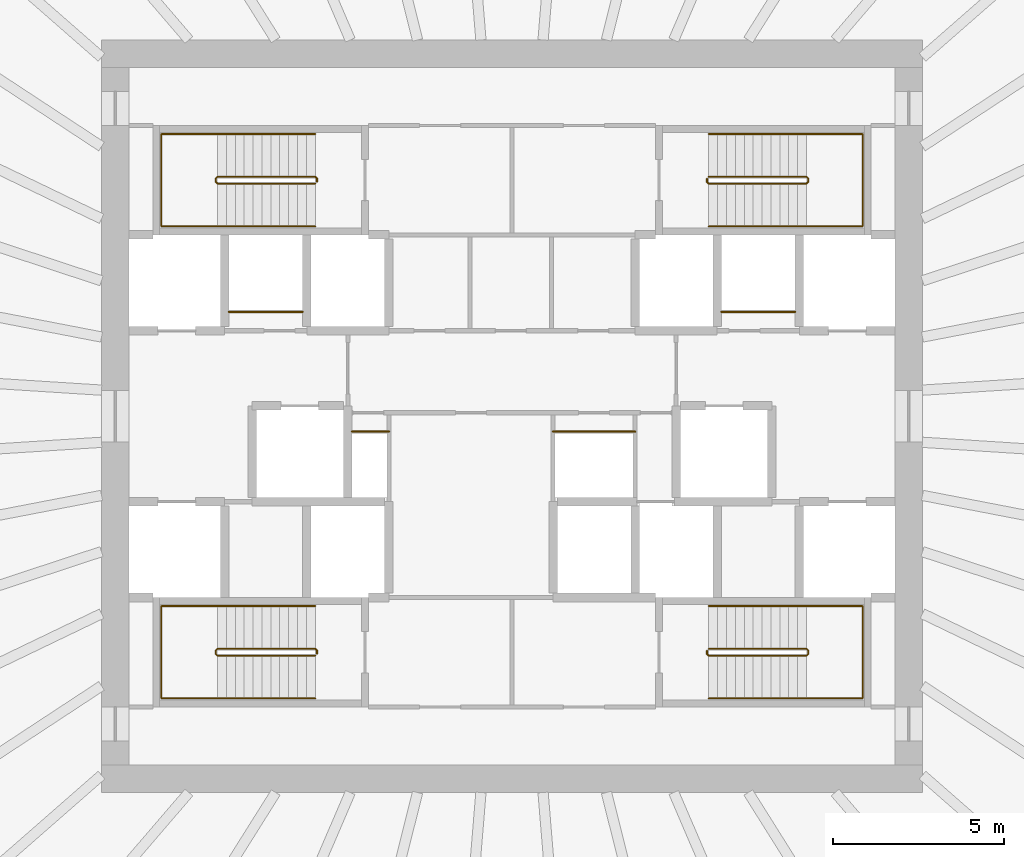
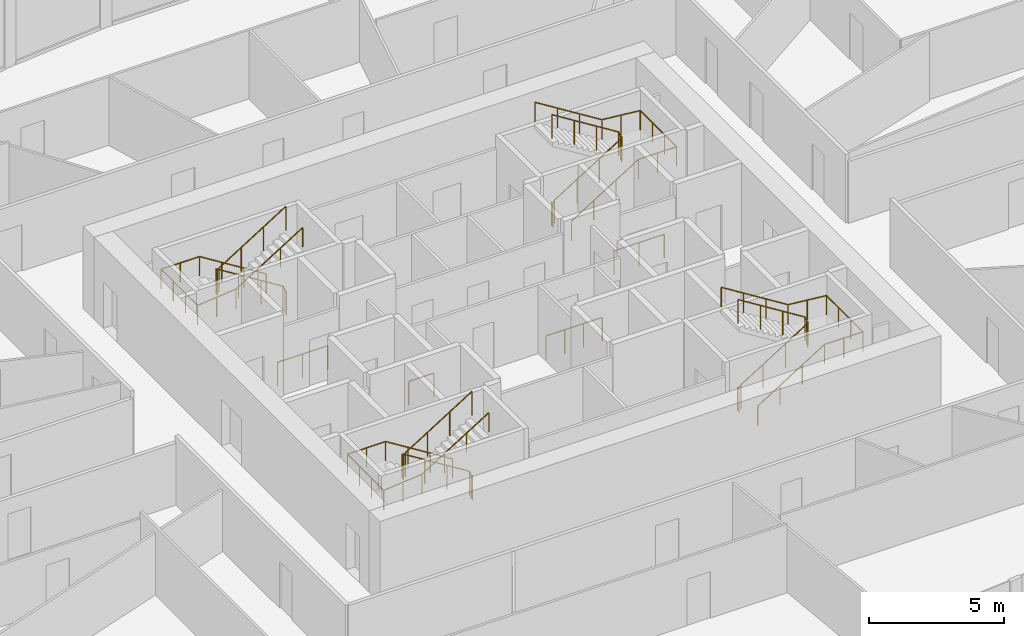
# One storey, part 11 of 11: 12 railings.
"""IFC4 building model written with IfcOpenShell, lengths in metres."""

from ifc_helpers import new_model, si_unit, direction, frame, origin, origin_2d, place, context, subcontext, project, spatial, circle, extrude, source, transform, mapped, material, type_object, element, save


model = new_model("IFC4")

# Units and contexts
model_context = context("Model", 3, precision=1e-05, world=origin(), true_north=direction((0.0, 1.0)))
body_context = subcontext(model_context, "Body", "Model", "MODEL_VIEW")
ifc_project = project(units=[si_unit("LENGTHUNIT", "METRE"), si_unit("AREAUNIT", "SQUARE_METRE"), si_unit("VOLUMEUNIT", "CUBIC_METRE"), si_unit("PLANEANGLEUNIT", "RADIAN"), si_unit("MASSUNIT", "GRAM", prefix="KILO")], contexts=[model_context])

# Site, building, storey
site_placement = place(None, origin())
site = spatial("IfcSite", under=ifc_project, at=site_placement, CompositionType="ELEMENT")
building_placement = place(site_placement, origin())
building = spatial("IfcBuilding", under=site, at=building_placement, Name="Embergate Tower", CompositionType="ELEMENT")
storey_placement = place(building_placement, frame((0.0, 0.0, 215.10009765625)))
storey = spatial("IfcBuildingStorey", under=building, at=storey_placement, Name="L49", CompositionType="ELEMENT", Elevation=215.10009765625)

# Railings
ifc_material_1 = material(Name="Stair handrail 900")
railing_type_1 = type_object("IfcRailingType", Name="Stair handrail 900", PredefinedType="HANDRAIL", material=ifc_material_1)
shared_shape_1 = source(origin(), body_context, "Body", "SweptSolid", [
    extrude(circle(Radius=0.02392578125, at=origin_2d()), frame((0.0, 0.0, 0.8759765625), z_axis=(-0.847994237388, 0.0, 0.530005446535), x_axis=(0.0, -1.0, 0.0)), (0.0, 0.0, 1.0), 3.372802734375),
    extrude(circle(Radius=0.02392578125, at=origin_2d()), frame((-2.860107421875, 0.0, 2.66357421875), z_axis=(-1.0, 0.0, 0.0), x_axis=(0.0, -1.0, 0.0)), (0.0, 0.0, 1.0), 1.639892578125),
    extrude(circle(Radius=0.02392578125, at=origin_2d()), frame((-4.5, 0.0, 2.66357421875), z_axis=(0.0, -1.0, 0.0), x_axis=(1.0, 0.0, 0.0)), (0.0, 0.0, 1.0), 2.699951171875),
    extrude(circle(Radius=0.02392578125, at=origin_2d()), frame((-4.5, -2.699951171875, 2.66357421875), z_axis=(0.995134983717, 0.0, 0.098520881967), x_axis=(0.0, 1.0, 0.0)), (0.0, 0.0, 1.0), 1.64794921875),
    extrude(circle(Radius=0.02392578125, at=origin_2d()), frame((-2.860107421875, -2.699951171875, 2.82568359375), z_axis=(0.847994237388, 0.0, 0.530005446535), x_axis=(0.0, 1.0, 0.0)), (0.0, 0.0, 1.0), 3.372802734375),
    extrude(circle(Radius=0.02099609375, at=origin_2d()), origin(), (0.0, 0.0, 1.0), 0.851806640625),
    extrude(circle(Radius=0.02099609375, at=origin_2d()), frame((-0.953369140625, 0.0, 0.595947265625)), (0.0, 0.0, 1.0), 0.851806640625),
    extrude(circle(Radius=0.02099609375, at=origin_2d()), frame((-1.90673828125, 0.0, 1.191650390625)), (0.0, 0.0, 1.0), 0.851806640625),
    extrude(circle(Radius=0.02099609375, at=origin_2d()), frame((-2.860107421875, 0.0, 1.78759765625)), (0.0, 0.0, 1.0), 0.851806640625),
    extrude(circle(Radius=0.02099609375, at=origin_2d()), frame((-3.68017578125, 0.0, 1.78759765625)), (0.0, 0.0, 1.0), 0.851806640625),
    extrude(circle(Radius=0.02099609375, at=origin_2d()), frame((-4.5, 0.0, 1.78759765625)), (0.0, 0.0, 1.0), 0.851806640625),
    extrude(circle(Radius=0.02099609375, at=origin_2d()), frame((-4.5, -0.89990234375, 1.78759765625)), (0.0, 0.0, 1.0), 0.851806640625),
    extrude(circle(Radius=0.02099609375, at=origin_2d()), frame((-4.5, -1.800048828125, 1.78759765625)), (0.0, 0.0, 1.0), 0.851806640625),
    extrude(circle(Radius=0.02099609375, at=origin_2d()), frame((-4.5, -2.699951171875, 1.78759765625)), (0.0, 0.0, 1.0), 0.851806640625),
    extrude(circle(Radius=0.02099609375, at=origin_2d()), frame((-3.68017578125, -2.699951171875, 1.86865234375)), (0.0, 0.0, 1.0), 0.851806640625),
    extrude(circle(Radius=0.02099609375, at=origin_2d()), frame((-2.860107421875, -2.699951171875, 1.949951171875)), (0.0, 0.0, 1.0), 0.851806640625),
    extrude(circle(Radius=0.02099609375, at=origin_2d()), frame((-1.90673828125, -2.699951171875, 2.5458984375)), (0.0, 0.0, 1.0), 0.851806640625),
    extrude(circle(Radius=0.02099609375, at=origin_2d()), frame((-0.953369140625, -2.699951171875, 3.1416015625)), (0.0, 0.0, 1.0), 0.851806640625),
    extrude(circle(Radius=0.02099609375, at=origin_2d()), frame((0.0, -2.699951171875, 3.737548828125)), (0.0, 0.0, 1.0), 0.851806640625),
])
for number, where, name in (
    (1, (-5.75, 8.25, 0.162353515625), "L49 ST1 stair handrail 1"),
    (2, (-5.75, -5.550048828125, 0.162353515625), "L49 ST3 stair handrail 1"),
):
    element("IfcRailing", number, at=place(storey_placement, frame(where)), inside=storey, type_object=railing_type_1, Name=name, PredefinedType="HANDRAIL", context=body_context, shape_type="MappedRepresentation", body=[
        mapped(shared_shape_1, transform((0.0, 0.0, 0.0))),
    ])
ifc_material_2 = material(Name="Stair guard 1100")
railing_type_2 = type_object("IfcRailingType", Name="Stair guard 1100", PredefinedType="GUARDRAIL", material=ifc_material_2)
shared_shape_2 = source(origin(), body_context, "Body", "SweptSolid", [
    extrude(circle(Radius=0.02392578125, at=origin_2d()), frame((0.0, 0.0, 1.076171875), z_axis=(0.0, 1.0, 0.0), x_axis=(-1.0, 0.0, 0.0)), (0.0, 0.0, 1.0), 0.099853515625),
    extrude(circle(Radius=0.02392578125, at=origin_2d()), frame((0.0, 0.099853515625, 1.076171875), z_axis=(-0.282583949758, 0.282583949758, 0.916674763849), x_axis=(-0.707106781187, -0.707106781187, 0.0)), (0.0, 0.0, 1.0), 0.177001953125),
    extrude(circle(Radius=0.02392578125, at=origin_2d()), frame((-0.050048828125, 0.14990234375, 1.23828125), z_axis=(-0.847994237388, 0.0, 0.530005446535), x_axis=(0.0, -1.0, 0.0)), (0.0, 0.0, 1.0), 3.372802734375),
    extrude(circle(Radius=0.02392578125, at=origin_2d()), frame((-2.91015625, 0.14990234375, 3.02587890625), z_axis=(-0.705375805398, -0.708833529934, 0.0), x_axis=(0.708833529934, -0.705375805398, 0.0)), (0.0, 0.0, 1.0), 0.070556640625),
    extrude(circle(Radius=0.02392578125, at=origin_2d()), frame((-2.9599609375, 0.099853515625, 3.02587890625), z_axis=(0.0, -1.0, 0.0), x_axis=(1.0, 0.0, 0.0)), (0.0, 0.0, 1.0), 0.099853515625),
    extrude(circle(Radius=0.02392578125, at=origin_2d()), frame((-2.9599609375, 0.0, 3.02587890625), z_axis=(0.281314826061, -0.282693820306, 0.917031173188), x_axis=(0.708833529934, 0.705375805398, 0.0)), (0.0, 0.0, 1.0), 0.177001953125),
    extrude(circle(Radius=0.02392578125, at=origin_2d()), frame((-2.91015625, -0.050048828125, 3.1884765625), z_axis=(0.847994237388, 0.0, 0.530005446535), x_axis=(0.0, 1.0, 0.0)), (0.0, 0.0, 1.0), 3.372802734375),
    extrude(circle(Radius=0.02099609375, at=origin_2d()), origin(), (0.0, 0.0, 1.0), 1.052001953125),
    extrude(circle(Radius=0.02099609375, at=origin_2d()), frame((0.0, 0.099853515625, 0.0)), (0.0, 0.0, 1.0), 1.052001953125),
    extrude(circle(Radius=0.02099609375, at=origin_2d()), frame((-0.050048828125, 0.14990234375, 0.162353515625)), (0.0, 0.0, 1.0), 1.052001953125),
    extrude(circle(Radius=0.02099609375, at=origin_2d()), frame((-1.00341796875, 0.14990234375, 0.75830078125)), (0.0, 0.0, 1.0), 1.052001953125),
    extrude(circle(Radius=0.02099609375, at=origin_2d()), frame((-1.956787109375, 0.14990234375, 1.35400390625)), (0.0, 0.0, 1.0), 1.052001953125),
    extrude(circle(Radius=0.02099609375, at=origin_2d()), frame((-2.91015625, 0.14990234375, 1.949951171875)), (0.0, 0.0, 1.0), 1.052001953125),
    extrude(circle(Radius=0.02099609375, at=origin_2d()), frame((-2.9599609375, 0.099853515625, 1.949951171875)), (0.0, 0.0, 1.0), 1.052001953125),
    extrude(circle(Radius=0.02099609375, at=origin_2d()), frame((-2.9599609375, 0.0, 1.949951171875)), (0.0, 0.0, 1.0), 1.052001953125),
    extrude(circle(Radius=0.02099609375, at=origin_2d()), frame((-2.91015625, -0.050048828125, 2.1123046875)), (0.0, 0.0, 1.0), 1.052001953125),
    extrude(circle(Radius=0.02099609375, at=origin_2d()), frame((-1.956787109375, -0.050048828125, 2.708251953125)), (0.0, 0.0, 1.0), 1.052001953125),
    extrude(circle(Radius=0.02099609375, at=origin_2d()), frame((-1.00341796875, -0.050048828125, 3.303955078125)), (0.0, 0.0, 1.0), 1.052001953125),
    extrude(circle(Radius=0.02099609375, at=origin_2d()), frame((-0.050048828125, -0.050048828125, 3.89990234375)), (0.0, 0.0, 1.0), 1.052001953125),
])
for number, where, name in (
    (3, (-5.699951171875, 6.85009765625, 0.0), "L49 ST1 stair guard 1"),
    (4, (-5.699951171875, -6.949951171875, 0.0), "L49 ST3 stair guard 1"),
):
    element("IfcRailing", number, at=place(storey_placement, frame(where)), inside=storey, type_object=railing_type_2, Name=name, PredefinedType="GUARDRAIL", context=body_context, shape_type="MappedRepresentation", body=[
        mapped(shared_shape_2, transform((0.0, 0.0, 0.0))),
    ])
shared_shape_3 = source(origin(), body_context, "Body", "SweptSolid", [
    extrude(circle(Radius=0.02392578125, at=origin_2d()), frame((0.0, 0.0, 0.8759765625), z_axis=(0.847994237388, 0.0, 0.530005446535), x_axis=(0.0, 1.0, 0.0)), (0.0, 0.0, 1.0), 3.372802734375),
    extrude(circle(Radius=0.02392578125, at=origin_2d()), frame((2.860107421875, 0.0, 2.66357421875), z_axis=(1.0, 0.0, 0.0), x_axis=(0.0, 1.0, 0.0)), (0.0, 0.0, 1.0), 1.639892578125),
    extrude(circle(Radius=0.02392578125, at=origin_2d()), frame((4.5, 0.0, 2.66357421875), z_axis=(0.0, 1.0, 0.0), x_axis=(-1.0, 0.0, 0.0)), (0.0, 0.0, 1.0), 2.699951171875),
    extrude(circle(Radius=0.02392578125, at=origin_2d()), frame((4.5, 2.699951171875, 2.66357421875), z_axis=(-0.995134983717, 0.0, 0.098520881967), x_axis=(0.0, -1.0, 0.0)), (0.0, 0.0, 1.0), 1.64794921875),
    extrude(circle(Radius=0.02392578125, at=origin_2d()), frame((2.860107421875, 2.699951171875, 2.82568359375), z_axis=(-0.847994237388, 0.0, 0.530005446535), x_axis=(0.0, -1.0, 0.0)), (0.0, 0.0, 1.0), 3.372802734375),
    extrude(circle(Radius=0.02099609375, at=origin_2d()), origin(), (0.0, 0.0, 1.0), 0.851806640625),
    extrude(circle(Radius=0.02099609375, at=origin_2d()), frame((0.953369140625, 0.0, 0.595947265625)), (0.0, 0.0, 1.0), 0.851806640625),
    extrude(circle(Radius=0.02099609375, at=origin_2d()), frame((1.90673828125, 0.0, 1.191650390625)), (0.0, 0.0, 1.0), 0.851806640625),
    extrude(circle(Radius=0.02099609375, at=origin_2d()), frame((2.860107421875, 0.0, 1.78759765625)), (0.0, 0.0, 1.0), 0.851806640625),
    extrude(circle(Radius=0.02099609375, at=origin_2d()), frame((3.68017578125, 0.0, 1.78759765625)), (0.0, 0.0, 1.0), 0.851806640625),
    extrude(circle(Radius=0.02099609375, at=origin_2d()), frame((4.5, 0.0, 1.78759765625)), (0.0, 0.0, 1.0), 0.851806640625),
    extrude(circle(Radius=0.02099609375, at=origin_2d()), frame((4.5, 0.89990234375, 1.78759765625)), (0.0, 0.0, 1.0), 0.851806640625),
    extrude(circle(Radius=0.02099609375, at=origin_2d()), frame((4.5, 1.800048828125, 1.78759765625)), (0.0, 0.0, 1.0), 0.851806640625),
    extrude(circle(Radius=0.02099609375, at=origin_2d()), frame((4.5, 2.699951171875, 1.78759765625)), (0.0, 0.0, 1.0), 0.851806640625),
    extrude(circle(Radius=0.02099609375, at=origin_2d()), frame((3.68017578125, 2.699951171875, 1.86865234375)), (0.0, 0.0, 1.0), 0.851806640625),
    extrude(circle(Radius=0.02099609375, at=origin_2d()), frame((2.860107421875, 2.699951171875, 1.949951171875)), (0.0, 0.0, 1.0), 0.851806640625),
    extrude(circle(Radius=0.02099609375, at=origin_2d()), frame((1.90673828125, 2.699951171875, 2.5458984375)), (0.0, 0.0, 1.0), 0.851806640625),
    extrude(circle(Radius=0.02099609375, at=origin_2d()), frame((0.953369140625, 2.699951171875, 3.1416015625)), (0.0, 0.0, 1.0), 0.851806640625),
    extrude(circle(Radius=0.02099609375, at=origin_2d()), frame((0.0, 2.699951171875, 3.737548828125)), (0.0, 0.0, 1.0), 0.851806640625),
])
for number, where, name in (
    (5, (5.75, 5.550048828125, 0.162353515625), "L49 ST2 stair handrail 1"),
    (6, (5.75, -8.25, 0.162353515625), "L49 ST4 stair handrail 1"),
):
    element("IfcRailing", number, at=place(storey_placement, frame(where)), inside=storey, type_object=railing_type_1, Name=name, PredefinedType="HANDRAIL", context=body_context, shape_type="MappedRepresentation", body=[
        mapped(shared_shape_3, transform((0.0, 0.0, 0.0))),
    ])
shared_shape_4 = source(origin(), body_context, "Body", "SweptSolid", [
    extrude(circle(Radius=0.02392578125, at=origin_2d()), frame((0.0, 0.0, 1.076171875), z_axis=(0.0, -1.0, 0.0), x_axis=(1.0, 0.0, 0.0)), (0.0, 0.0, 1.0), 0.099853515625),
    extrude(circle(Radius=0.02392578125, at=origin_2d()), frame((0.0, -0.099853515625, 1.076171875), z_axis=(0.282583949758, -0.282583949758, 0.916674763849), x_axis=(0.707106781187, 0.707106781187, 0.0)), (0.0, 0.0, 1.0), 0.177001953125),
    extrude(circle(Radius=0.02392578125, at=origin_2d()), frame((0.050048828125, -0.14990234375, 1.23828125), z_axis=(0.847994237388, 0.0, 0.530005446535), x_axis=(0.0, 1.0, 0.0)), (0.0, 0.0, 1.0), 3.372802734375),
    extrude(circle(Radius=0.02392578125, at=origin_2d()), frame((2.91015625, -0.14990234375, 3.02587890625), z_axis=(0.705375805398, 0.708833529934, 0.0), x_axis=(-0.708833529934, 0.705375805398, 0.0)), (0.0, 0.0, 1.0), 0.070556640625),
    extrude(circle(Radius=0.02392578125, at=origin_2d()), frame((2.9599609375, -0.099853515625, 3.02587890625), z_axis=(0.0, 1.0, 0.0), x_axis=(-1.0, 0.0, 0.0)), (0.0, 0.0, 1.0), 0.099853515625),
    extrude(circle(Radius=0.02392578125, at=origin_2d()), frame((2.9599609375, 0.0, 3.02587890625), z_axis=(-0.281314826061, 0.282693820306, 0.917031173188), x_axis=(-0.708833529934, -0.705375805398, 0.0)), (0.0, 0.0, 1.0), 0.177001953125),
    extrude(circle(Radius=0.02392578125, at=origin_2d()), frame((2.91015625, 0.050048828125, 3.1884765625), z_axis=(-0.847994237388, 0.0, 0.530005446535), x_axis=(0.0, -1.0, 0.0)), (0.0, 0.0, 1.0), 3.372802734375),
    extrude(circle(Radius=0.02099609375, at=origin_2d()), origin(), (0.0, 0.0, 1.0), 1.052001953125),
    extrude(circle(Radius=0.02099609375, at=origin_2d()), frame((0.0, -0.099853515625, 0.0)), (0.0, 0.0, 1.0), 1.052001953125),
    extrude(circle(Radius=0.02099609375, at=origin_2d()), frame((0.050048828125, -0.14990234375, 0.162353515625)), (0.0, 0.0, 1.0), 1.052001953125),
    extrude(circle(Radius=0.02099609375, at=origin_2d()), frame((1.00341796875, -0.14990234375, 0.75830078125)), (0.0, 0.0, 1.0), 1.052001953125),
    extrude(circle(Radius=0.02099609375, at=origin_2d()), frame((1.956787109375, -0.14990234375, 1.35400390625)), (0.0, 0.0, 1.0), 1.052001953125),
    extrude(circle(Radius=0.02099609375, at=origin_2d()), frame((2.91015625, -0.14990234375, 1.949951171875)), (0.0, 0.0, 1.0), 1.052001953125),
    extrude(circle(Radius=0.02099609375, at=origin_2d()), frame((2.9599609375, -0.099853515625, 1.949951171875)), (0.0, 0.0, 1.0), 1.052001953125),
    extrude(circle(Radius=0.02099609375, at=origin_2d()), frame((2.9599609375, 0.0, 1.949951171875)), (0.0, 0.0, 1.0), 1.052001953125),
    extrude(circle(Radius=0.02099609375, at=origin_2d()), frame((2.91015625, 0.050048828125, 2.1123046875)), (0.0, 0.0, 1.0), 1.052001953125),
    extrude(circle(Radius=0.02099609375, at=origin_2d()), frame((1.956787109375, 0.050048828125, 2.708251953125)), (0.0, 0.0, 1.0), 1.052001953125),
    extrude(circle(Radius=0.02099609375, at=origin_2d()), frame((1.00341796875, 0.050048828125, 3.303955078125)), (0.0, 0.0, 1.0), 1.052001953125),
    extrude(circle(Radius=0.02099609375, at=origin_2d()), frame((0.050048828125, 0.050048828125, 3.89990234375)), (0.0, 0.0, 1.0), 1.052001953125),
])
for number, where, name in (
    (7, (5.699951171875, 6.949951171875, 0.0), "L49 ST2 stair guard 1"),
    (8, (5.699951171875, -6.85009765625, 0.0), "L49 ST4 stair guard 1"),
):
    element("IfcRailing", number, at=place(storey_placement, frame(where)), inside=storey, type_object=railing_type_2, Name=name, PredefinedType="GUARDRAIL", context=body_context, shape_type="MappedRepresentation", body=[
        mapped(shared_shape_4, transform((0.0, 0.0, 0.0))),
    ])
ifc_material_3 = material(Name="Opening guard 1100")
railing_type_3 = type_object("IfcRailingType", Name="Opening guard 1100", PredefinedType="GUARDRAIL", material=ifc_material_3)
shared_shape_5 = source(origin(), body_context, "Body", "SweptSolid", [
    extrude(circle(Radius=0.02392578125, at=origin_2d()), frame((0.0, 0.0, 1.076171875), z_axis=(1.0, 0.0, 0.0), x_axis=(0.0, 1.0, 0.0)), (0.0, 0.0, 1.0), 2.14990234375),
    extrude(circle(Radius=0.02099609375, at=origin_2d()), origin(), (0.0, 0.0, 1.0), 1.052001953125),
    extrude(circle(Radius=0.02099609375, at=origin_2d()), frame((1.074951171875, 0.0, 0.0)), (0.0, 0.0, 1.0), 1.052001953125),
    extrude(circle(Radius=0.02099609375, at=origin_2d()), frame((2.14990234375, 0.0, 0.0)), (0.0, 0.0, 1.0), 1.052001953125),
])
for number, where, name in (
    (9, (-8.27490234375, 3.050048828125, 0.0), "Riser opening guard"),
    (10, (6.125, 3.050048828125, 0.0), "Riser opening guard"),
):
    element("IfcRailing", number, at=place(storey_placement, frame(where)), inside=storey, type_object=railing_type_3, Name=name, PredefinedType="GUARDRAIL", context=body_context, shape_type="MappedRepresentation", body=[
        mapped(shared_shape_5, transform((0.0, 0.0, 0.0))),
    ])
shared_shape_6 = source(origin(), body_context, "Body", "SweptSolid", [
    extrude(circle(Radius=0.02392578125, at=origin_2d()), frame((0.0, 0.0, 1.076171875), z_axis=(1.0, 0.0, 0.0), x_axis=(0.0, 1.0, 0.0)), (0.0, 0.0, 1.0), 1.074951171875),
    extrude(circle(Radius=0.02099609375, at=origin_2d()), origin(), (0.0, 0.0, 1.0), 1.052001953125),
    extrude(circle(Radius=0.02099609375, at=origin_2d()), frame((1.074951171875, 0.0, 0.0)), (0.0, 0.0, 1.0), 1.052001953125),
])
railing_1_placement = place(storey_placement, frame((-4.675048828125, -0.449951171875, 0.0)))
element("IfcRailing", 11, at=railing_1_placement, inside=storey, type_object=railing_type_3, Name="Riser opening guard", PredefinedType="GUARDRAIL", context=body_context, shape_type="MappedRepresentation", body=[
    mapped(shared_shape_6, transform((0.0, 0.0, 0.0))),
])
shared_shape_7 = source(origin(), body_context, "Body", "SweptSolid", [
    extrude(circle(Radius=0.02392578125, at=origin_2d()), frame((0.0, 0.0, 1.076171875), z_axis=(1.0, 0.0, 0.0), x_axis=(0.0, 1.0, 0.0)), (0.0, 0.0, 1.0), 2.400146484375),
    extrude(circle(Radius=0.02099609375, at=origin_2d()), origin(), (0.0, 0.0, 1.0), 1.052001953125),
    extrude(circle(Radius=0.02099609375, at=origin_2d()), frame((0.800048828125, 0.0, 0.0)), (0.0, 0.0, 1.0), 1.052001953125),
    extrude(circle(Radius=0.02099609375, at=origin_2d()), frame((1.60009765625, 0.0, 0.0)), (0.0, 0.0, 1.0), 1.052001953125),
    extrude(circle(Radius=0.02099609375, at=origin_2d()), frame((2.400146484375, 0.0, 0.0)), (0.0, 0.0, 1.0), 1.052001953125),
])
railing_2_placement = place(storey_placement, frame((1.199951171875, -0.449951171875, 0.0)))
element("IfcRailing", 12, at=railing_2_placement, inside=storey, type_object=railing_type_3, Name="Riser opening guard", PredefinedType="GUARDRAIL", context=body_context, shape_type="MappedRepresentation", body=[
    mapped(shared_shape_7, transform((0.0, 0.0, 0.0))),
])

save(model, "model.ifc")
